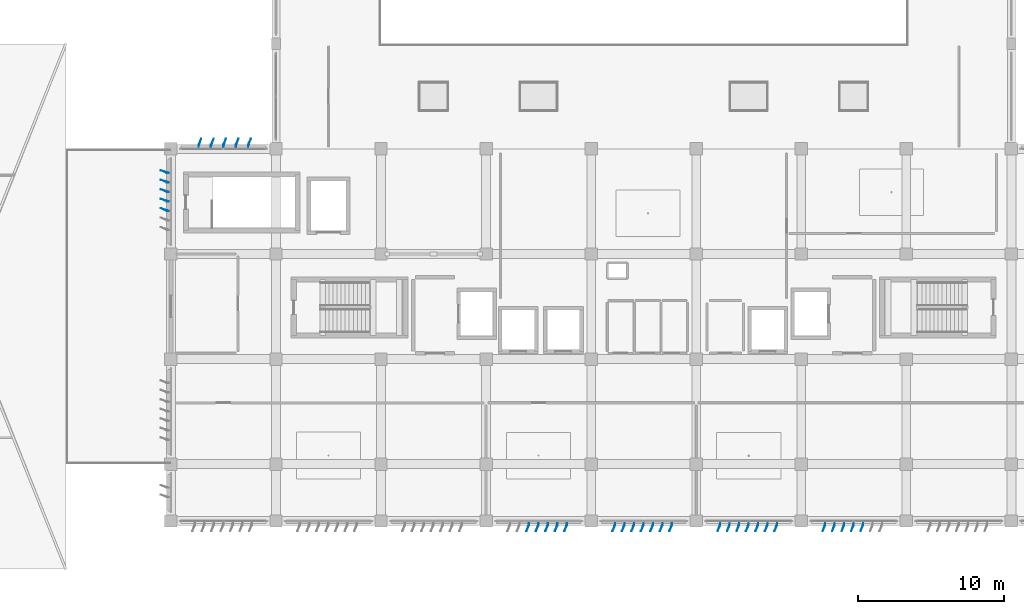
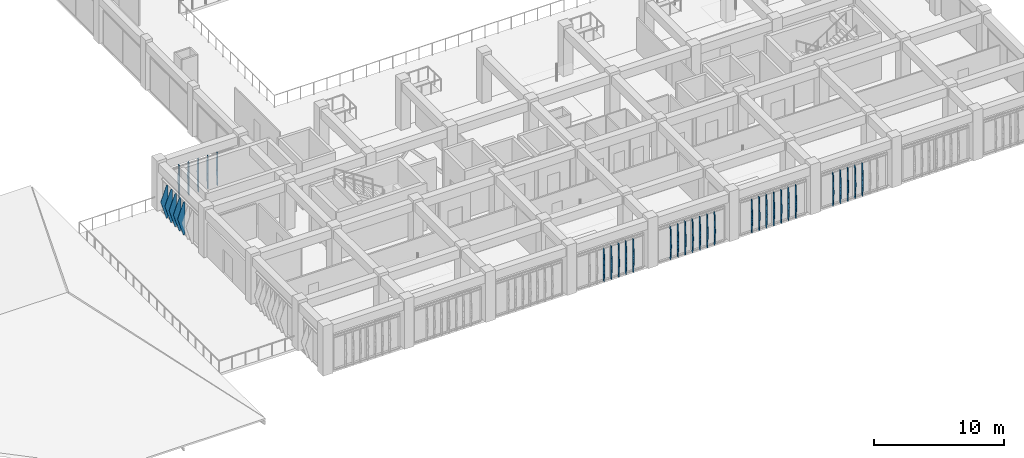
# One storey, part 47 of 55: 34 plates.
"""IFC4 building model written with IfcOpenShell, lengths in metres."""

import ifcopenshell
import ifcopenshell.guid

model = None  # the IFC model being written
_history = None  # IfcOwnerHistory: only IFC2X3 demands one
_inside = {}  # id of a spatial element -> (the spatial element, [elements in it])
_under = {}  # id of a project, library or spatial element -> (it, [spatial elements below it])
_declared = {}  # id of a project -> (the project, [libraries it declares])
_typed = {}  # id of a type object -> (the type object, [elements of that type])
_made_of = {}  # id of a material, layer set ... -> (it, [elements and type objects made of it])


def new_model(schema):
    """Start an empty IFC model of exactly this schema.

    Asked for "IFC4X3", IfcOpenShell would pick the latest addendum, in which some entities
    have other attributes; the version numbers below select the first issue.
    IFC2X3 requires an IfcOwnerHistory on every rooted entity: one is made here for all.
    """
    global model, _history
    if schema == "IFC4X3":
        model = ifcopenshell.file(schema_version=(4, 3, 0, 0))
    else:
        model = ifcopenshell.file(schema=schema)
    _inside.clear()
    _under.clear()
    _declared.clear()
    _typed.clear()
    _made_of.clear()
    _history = None
    if model.schema == "IFC2X3":
        org = make("IfcOrganization", Name="unknown")
        user = make(
            "IfcPersonAndOrganization",
            ThePerson=make("IfcPerson", FamilyName="unknown"),
            TheOrganization=org,
        )
        app = make(
            "IfcApplication",
            ApplicationDeveloper=org,
            Version="unknown",
            ApplicationFullName="unknown",
            ApplicationIdentifier="unknown",
        )
        _history = make(
            "IfcOwnerHistory",
            OwningUser=user,
            OwningApplication=app,
            ChangeAction="ADDED",
            CreationDate=0,
        )
    return model


def make(cls, **values):
    """One entity of the class cls with the attributes given. An attribute that is None is left unset."""
    return model.create_entity(
        cls, **{name: value for name, value in values.items() if value is not None}
    )


def rooted(cls, **values):
    """An entity with a GlobalId (a new one), such as an element, a storey or a relation."""
    return make(cls, GlobalId=ifcopenshell.guid.new(), OwnerHistory=_history, **values)


def si_unit(unit_type, name, prefix=None):
    """IfcSIUnit, for example si_unit("LENGTHUNIT", "METRE", prefix="MILLI")."""
    return make("IfcSIUnit", UnitType=unit_type, Prefix=prefix, Name=name)


def assignment(units):
    """IfcUnitAssignment: the units of a project."""
    return None if units is None else make("IfcUnitAssignment", Units=units)


def point(xyz):
    """IfcCartesianPoint."""
    return None if xyz is None else make("IfcCartesianPoint", Coordinates=xyz)


def direction(xyz):
    """IfcDirection."""
    return None if xyz is None else make("IfcDirection", DirectionRatios=xyz)


def frame(location, z_axis=None, x_axis=None):
    """IfcAxis2Placement3D, a coordinate frame: its origin and axes. An axis left out is left unset."""
    return make(
        "IfcAxis2Placement3D",
        Location=point(location),
        Axis=direction(z_axis),
        RefDirection=direction(x_axis),
    )


def origin():
    """The frame at (0, 0, 0) with its axes left unset."""
    return frame((0.0, 0.0, 0.0))


def place(relative_to, where):
    """IfcLocalPlacement: puts the frame where relative to a parent placement (None: the world)."""
    return make(
        "IfcLocalPlacement", PlacementRelTo=relative_to, RelativePlacement=where
    )


def context(
    kind, dimensions, precision=None, world=None, true_north=None, identifier=None
):
    """IfcGeometricRepresentationContext, for example the 3D "Model" context."""
    return make(
        "IfcGeometricRepresentationContext",
        ContextIdentifier=identifier,
        ContextType=kind,
        CoordinateSpaceDimension=dimensions,
        Precision=precision,
        WorldCoordinateSystem=world,
        TrueNorth=true_north,
    )


def subcontext(parent, identifier, kind, view, scale=None):
    """IfcGeometricRepresentationSubContext, for example "Body" below "Model"."""
    return make(
        "IfcGeometricRepresentationSubContext",
        ContextIdentifier=identifier,
        ContextType=kind,
        ParentContext=parent,
        TargetScale=scale,
        TargetView=view,
    )


def project(units=None, contexts=None):
    """IfcProject with its units and contexts."""
    return rooted(
        "IfcProject",
        Name="project",
        RepresentationContexts=contexts,
        UnitsInContext=assignment(units),
    )


def spatial(cls, under=None, at=None, **own):
    """A site, building, storey or space (cls), placed at a placement, below another one or the project."""
    s = rooted(cls, ObjectPlacement=at, **own)
    if under is not None:
        _under.setdefault(under.id(), (under, []))[1].append(s)
    return s


def point_list(points):
    """IfcCartesianPointList2D or 3D."""
    cls = (
        "IfcCartesianPointList2D" if len(points[0]) == 2 else "IfcCartesianPointList3D"
    )
    return make(cls, CoordList=points)


def polygons(points, faces, closed=None, point_numbers=None):
    """IfcPolygonalFaceSet: a face is its outer loop, then its inner loops; points numbered from 1."""
    made = []
    for loops in faces:
        if len(loops) == 1:
            made.append(make("IfcIndexedPolygonalFace", CoordIndex=loops[0]))
        else:
            made.append(
                make(
                    "IfcIndexedPolygonalFaceWithVoids",
                    CoordIndex=loops[0],
                    InnerCoordIndices=loops[1:],
                )
            )
    return make(
        "IfcPolygonalFaceSet",
        Coordinates=point_list(points),
        Closed=closed,
        Faces=made,
        PnIndex=point_numbers,
    )


def shape(context_of_items, identifier, shape_type, items):
    """IfcShapeRepresentation: the items that make up one representation, for example the "Body"."""
    return make(
        "IfcShapeRepresentation",
        ContextOfItems=context_of_items,
        RepresentationIdentifier=identifier,
        RepresentationType=shape_type,
        Items=items,
    )


def material(Name=None, Category=None):
    """IfcMaterial."""
    return make("IfcMaterial", Name=Name, Category=Category)


def layer(
    of_material, thickness, ventilated=None, Name=None, Category=None, Priority=None
):
    """IfcMaterialLayer: one layer of a wall or slab, of a material (None: an air gap)."""
    return make(
        "IfcMaterialLayer",
        Material=of_material,
        LayerThickness=thickness,
        IsVentilated=ventilated,
        Name=Name,
        Category=Category,
        Priority=Priority,
    )


def layer_set(layers, Name=None):
    """IfcMaterialLayerSet."""
    return make("IfcMaterialLayerSet", MaterialLayers=layers, LayerSetName=Name)


def made_of(thing, what):
    """Note that an element or type object is made of a material, layer set ...; save() writes the relation."""
    if what is not None:
        _made_of.setdefault(what.id(), (what, []))[1].append(thing)
    return thing


def type_object(cls, material=None, **own):
    """A type object (cls), such as IfcWallType, which elements share."""
    return made_of(rooted(cls, **own), material)


def element(
    cls,
    number,
    at=None,
    inside=None,
    cuts=None,
    type_object=None,
    material=None,
    context=None,
    identifier="Body",
    shape_type=None,
    held_by="IfcProductDefinitionShape",
    body=None,
    shapes=None,
    **own,
):
    """One element of the class cls, such as IfcWall. Its Tag is "e" and its number.

    at: its placement. inside: the storey or other place that contains it. cuts: it is an
    opening in that element (IfcRelVoidsElement). A single representation is given by context,
    identifier, shape_type and body (its items); several are given by shapes. held_by: the class
    of the entity that holds the representations. save() writes the other relations.
    """
    e = rooted(cls, Tag="e%d" % number, ObjectPlacement=at, **own)
    if body is not None:
        shapes = [shape(context, identifier, shape_type, body)]
    if shapes is not None:
        e.Representation = make(held_by, Representations=shapes)
    if inside is not None:
        _inside.setdefault(inside.id(), (inside, []))[1].append(e)
    if cuts is not None:
        rooted(
            "IfcRelVoidsElement", RelatingBuildingElement=cuts, RelatedOpeningElement=e
        )
    if type_object is not None:
        _typed.setdefault(type_object.id(), (type_object, []))[1].append(e)
    return made_of(e, material)


def aggregate(whole, parts):
    """IfcRelAggregates: a whole, such as a stair, and the parts it consists of."""
    return rooted("IfcRelAggregates", RelatingObject=whole, RelatedObjects=parts)


def save(model, path):
    """Write the relations noted so far, then the file.

    IfcRelAggregates (storeys below a building ...), IfcRelContainedInSpatialStructure (elements
    in a storey), IfcRelDefinesByType, IfcRelAssociatesMaterial and IfcRelDeclares: one each for
    every whole, place, type object, material and project.
    """
    for whole, parts in _under.values():
        aggregate(whole, parts)
    for where, things in _inside.values():
        rooted(
            "IfcRelContainedInSpatialStructure",
            RelatedElements=things,
            RelatingStructure=where,
        )
    for kind, things in _typed.values():
        rooted("IfcRelDefinesByType", RelatedObjects=things, RelatingType=kind)
    for what, things in _made_of.values():
        rooted("IfcRelAssociatesMaterial", RelatedObjects=things, RelatingMaterial=what)
    for by, libraries in _declared.values():
        rooted("IfcRelDeclares", RelatingContext=by, RelatedDefinitions=libraries)
    model.write(path)


model = new_model("IFC4")

# Units and contexts
model_context = context("Model", 3, precision=1e-05, world=origin(), true_north=direction((0.0, 1.0)))
body_context = subcontext(model_context, "Body", "Model", "MODEL_VIEW")
ifc_project = project(units=[si_unit("LENGTHUNIT", "METRE"), si_unit("AREAUNIT", "SQUARE_METRE"), si_unit("VOLUMEUNIT", "CUBIC_METRE"), si_unit("PLANEANGLEUNIT", "RADIAN"), si_unit("MASSUNIT", "GRAM", prefix="KILO")], contexts=[model_context])

# Site, building, storey
site_placement = place(None, origin())
site = spatial("IfcSite", under=ifc_project, at=site_placement, CompositionType="ELEMENT")
building_placement = place(site_placement, origin())
building = spatial("IfcBuilding", under=site, at=building_placement, Name="Kazehaya Institute of Natural Sciences", CompositionType="ELEMENT")
storey_placement = place(building_placement, frame((0.0, 0.0, 15.1201171875)))
storey = spatial("IfcBuildingStorey", under=building, at=storey_placement, Name="L03", CompositionType="ELEMENT", Elevation=15.1201171875)

# Plates
ifc_material = material(Name="Bronze-anodised aluminium alloy A6063S-T5", Category="aluminium")
ifc_layer_1 = layer(ifc_material, 0.02001953125, Name="Bronze-anodised aluminium alloy A6063S-T5", Category="aluminium")
ifc_layer_set_1 = layer_set([ifc_layer_1], Name="Bronze-anodised aluminium alloy A6063S-T5")
plate_type_1 = type_object("IfcPlateType", Name="FIN-DF-E1", PredefinedType="USERDEFINED", material=ifc_layer_set_1)
plate_1_placement = place(storey_placement, origin())
element("IfcPlate", 1, at=plate_1_placement, inside=storey, type_object=plate_type_1, Name="L03 folded diamond-pyramid shading fin FIN-L03-W-0101", ObjectType="SHADING_FIN", PredefinedType="USERDEFINED", context=body_context, shape_type="Tessellation", body=[
    polygons([(54.445068359375, 31.340087890625, 0.039794921875), (54.300048828125, 31.340087890625, 0.039794921875), (53.889892578125, 31.518798828125, 1.58984375), (54.300048828125, 31.340087890625, 3.139892578125), (54.445068359375, 31.340087890625, 3.139892578125), (54.445068359375, 31.360107421875, 0.039794921875), (54.300048828125, 31.360107421875, 0.039794921875), (53.889892578125, 31.538818359375, 1.58984375), (54.300048828125, 31.360107421875, 3.139892578125), (54.445068359375, 31.360107421875, 3.139892578125)], [[[1, 5, 4, 3, 2]], [[6, 7, 8, 9, 10]], [[1, 2, 7, 6]], [[2, 3, 8, 7]], [[3, 4, 9, 8]], [[4, 5, 10, 9]], [[5, 1, 6, 10]]], closed=True),
])
plate_2_placement = place(storey_placement, origin())
element("IfcPlate", 2, at=plate_2_placement, inside=storey, type_object=plate_type_1, Name="L03 folded diamond-pyramid shading fin FIN-L03-W-0102", ObjectType="SHADING_FIN", PredefinedType="USERDEFINED", context=body_context, shape_type="Tessellation", body=[
    polygons([(54.445068359375, 31.989990234375, 0.039794921875), (54.300048828125, 31.989990234375, 0.039794921875), (53.889892578125, 32.168701171875, 1.58984375), (54.300048828125, 31.989990234375, 3.139892578125), (54.445068359375, 31.989990234375, 3.139892578125), (54.445068359375, 32.010009765625, 0.039794921875), (54.300048828125, 32.010009765625, 0.039794921875), (53.889892578125, 32.188720703125, 1.58984375), (54.300048828125, 32.010009765625, 3.139892578125), (54.445068359375, 32.010009765625, 3.139892578125)], [[[1, 5, 4, 3, 2]], [[6, 7, 8, 9, 10]], [[1, 2, 7, 6]], [[2, 3, 8, 7]], [[3, 4, 9, 8]], [[4, 5, 10, 9]], [[5, 1, 6, 10]]], closed=True),
])
plate_3_placement = place(storey_placement, origin())
element("IfcPlate", 3, at=plate_3_placement, inside=storey, type_object=plate_type_1, Name="L03 folded diamond-pyramid shading fin FIN-L03-W-0103", ObjectType="SHADING_FIN", PredefinedType="USERDEFINED", context=body_context, shape_type="Tessellation", body=[
    polygons([(54.445068359375, 32.639892578125, 0.039794921875), (54.300048828125, 32.639892578125, 0.039794921875), (53.889892578125, 32.818603515625, 1.58984375), (54.300048828125, 32.639892578125, 3.139892578125), (54.445068359375, 32.639892578125, 3.139892578125), (54.445068359375, 32.659912109375, 0.039794921875), (54.300048828125, 32.659912109375, 0.039794921875), (53.889892578125, 32.838623046875, 1.58984375), (54.300048828125, 32.659912109375, 3.139892578125), (54.445068359375, 32.659912109375, 3.139892578125)], [[[1, 5, 4, 3, 2]], [[6, 7, 8, 9, 10]], [[1, 2, 7, 6]], [[2, 3, 8, 7]], [[3, 4, 9, 8]], [[4, 5, 10, 9]], [[5, 1, 6, 10]]], closed=True),
])
plate_4_placement = place(storey_placement, origin())
element("IfcPlate", 4, at=plate_4_placement, inside=storey, type_object=plate_type_1, Name="L03 folded diamond-pyramid shading fin FIN-L03-W-0104", ObjectType="SHADING_FIN", PredefinedType="USERDEFINED", context=body_context, shape_type="Tessellation", body=[
    polygons([(54.445068359375, 33.2900390625, 0.039794921875), (54.300048828125, 33.2900390625, 0.039794921875), (53.889892578125, 33.46875, 1.58984375), (54.300048828125, 33.2900390625, 3.139892578125), (54.445068359375, 33.2900390625, 3.139892578125), (54.445068359375, 33.31005859375, 0.039794921875), (54.300048828125, 33.31005859375, 0.039794921875), (53.889892578125, 33.48876953125, 1.58984375), (54.300048828125, 33.31005859375, 3.139892578125), (54.445068359375, 33.31005859375, 3.139892578125)], [[[1, 5, 4, 3, 2]], [[6, 7, 8, 9, 10]], [[1, 2, 7, 6]], [[2, 3, 8, 7]], [[3, 4, 9, 8]], [[4, 5, 10, 9]], [[5, 1, 6, 10]]], closed=True),
])
plate_5_placement = place(storey_placement, origin())
element("IfcPlate", 5, at=plate_5_placement, inside=storey, type_object=plate_type_1, Name="L03 folded diamond-pyramid shading fin FIN-L03-W-0105", ObjectType="SHADING_FIN", PredefinedType="USERDEFINED", context=body_context, shape_type="Tessellation", body=[
    polygons([(54.445068359375, 33.93994140625, 0.039794921875), (54.300048828125, 33.93994140625, 0.039794921875), (53.889892578125, 34.11865234375, 1.58984375), (54.300048828125, 33.93994140625, 3.139892578125), (54.445068359375, 33.93994140625, 3.139892578125), (54.445068359375, 33.9599609375, 0.039794921875), (54.300048828125, 33.9599609375, 0.039794921875), (53.889892578125, 34.138671875, 1.58984375), (54.300048828125, 33.9599609375, 3.139892578125), (54.445068359375, 33.9599609375, 3.139892578125)], [[[1, 5, 4, 3, 2]], [[6, 7, 8, 9, 10]], [[1, 2, 7, 6]], [[2, 3, 8, 7]], [[3, 4, 9, 8]], [[4, 5, 10, 9]], [[5, 1, 6, 10]]], closed=True),
])
ifc_layer_2 = layer(ifc_material, 0.02001953125, Name="Bronze-anodised aluminium alloy A6063S-T5", Category="aluminium")
ifc_layer_set_2 = layer_set([ifc_layer_2], Name="Bronze-anodised aluminium alloy A6063S-T5")
plate_type_2 = type_object("IfcPlateType", Name="FIN-DF-N1", PredefinedType="USERDEFINED", material=ifc_layer_set_2)
plate_6_placement = place(storey_placement, origin())
element("IfcPlate", 6, at=plate_6_placement, inside=storey, type_object=plate_type_2, Name="L03 folded diamond-pyramid shading fin FIN-L03-N-0064", ObjectType="SHADING_FIN", PredefinedType="USERDEFINED", context=body_context, shape_type="Tessellation", body=[
    polygons([(56.489990234375, 35.7548828125, 0.039794921875), (56.489990234375, 35.89990234375, 0.039794921875), (56.668701171875, 36.31005859375, 1.58984375), (56.489990234375, 35.89990234375, 3.139892578125), (56.489990234375, 35.7548828125, 3.139892578125), (56.510009765625, 35.7548828125, 0.039794921875), (56.510009765625, 35.89990234375, 0.039794921875), (56.688720703125, 36.31005859375, 1.58984375), (56.510009765625, 35.89990234375, 3.139892578125), (56.510009765625, 35.7548828125, 3.139892578125)], [[[1, 5, 4, 3, 2]], [[6, 7, 8, 9, 10]], [[1, 2, 7, 6]], [[2, 3, 8, 7]], [[3, 4, 9, 8]], [[4, 5, 10, 9]], [[5, 1, 6, 10]]], closed=True),
])
plate_7_placement = place(storey_placement, origin())
element("IfcPlate", 7, at=plate_7_placement, inside=storey, type_object=plate_type_2, Name="L03 folded diamond-pyramid shading fin FIN-L03-N-0065", ObjectType="SHADING_FIN", PredefinedType="USERDEFINED", context=body_context, shape_type="Tessellation", body=[
    polygons([(57.340087890625, 35.7548828125, 0.039794921875), (57.340087890625, 35.89990234375, 0.039794921875), (57.518798828125, 36.31005859375, 1.58984375), (57.340087890625, 35.89990234375, 3.139892578125), (57.340087890625, 35.7548828125, 3.139892578125), (57.360107421875, 35.7548828125, 0.039794921875), (57.360107421875, 35.89990234375, 0.039794921875), (57.538818359375, 36.31005859375, 1.58984375), (57.360107421875, 35.89990234375, 3.139892578125), (57.360107421875, 35.7548828125, 3.139892578125)], [[[1, 5, 4, 3, 2]], [[6, 7, 8, 9, 10]], [[1, 2, 7, 6]], [[2, 3, 8, 7]], [[3, 4, 9, 8]], [[4, 5, 10, 9]], [[5, 1, 6, 10]]], closed=True),
])
plate_8_placement = place(storey_placement, origin())
element("IfcPlate", 8, at=plate_8_placement, inside=storey, type_object=plate_type_2, Name="L03 folded diamond-pyramid shading fin FIN-L03-N-0066", ObjectType="SHADING_FIN", PredefinedType="USERDEFINED", context=body_context, shape_type="Tessellation", body=[
    polygons([(58.18994140625, 35.7548828125, 0.039794921875), (58.18994140625, 35.89990234375, 0.039794921875), (58.36865234375, 36.31005859375, 1.58984375), (58.18994140625, 35.89990234375, 3.139892578125), (58.18994140625, 35.7548828125, 3.139892578125), (58.2099609375, 35.7548828125, 0.039794921875), (58.2099609375, 35.89990234375, 0.039794921875), (58.388671875, 36.31005859375, 1.58984375), (58.2099609375, 35.89990234375, 3.139892578125), (58.2099609375, 35.7548828125, 3.139892578125)], [[[1, 5, 4, 3, 2]], [[6, 7, 8, 9, 10]], [[1, 2, 7, 6]], [[2, 3, 8, 7]], [[3, 4, 9, 8]], [[4, 5, 10, 9]], [[5, 1, 6, 10]]], closed=True),
])
plate_9_placement = place(storey_placement, origin())
element("IfcPlate", 9, at=plate_9_placement, inside=storey, type_object=plate_type_2, Name="L03 folded diamond-pyramid shading fin FIN-L03-N-0067", ObjectType="SHADING_FIN", PredefinedType="USERDEFINED", context=body_context, shape_type="Tessellation", body=[
    polygons([(59.0400390625, 35.7548828125, 0.039794921875), (59.0400390625, 35.89990234375, 0.039794921875), (59.21875, 36.31005859375, 1.58984375), (59.0400390625, 35.89990234375, 3.139892578125), (59.0400390625, 35.7548828125, 3.139892578125), (59.06005859375, 35.7548828125, 0.039794921875), (59.06005859375, 35.89990234375, 0.039794921875), (59.23876953125, 36.31005859375, 1.58984375), (59.06005859375, 35.89990234375, 3.139892578125), (59.06005859375, 35.7548828125, 3.139892578125)], [[[1, 5, 4, 3, 2]], [[6, 7, 8, 9, 10]], [[1, 2, 7, 6]], [[2, 3, 8, 7]], [[3, 4, 9, 8]], [[4, 5, 10, 9]], [[5, 1, 6, 10]]], closed=True),
])
plate_10_placement = place(storey_placement, origin())
element("IfcPlate", 10, at=plate_10_placement, inside=storey, type_object=plate_type_2, Name="L03 folded diamond-pyramid shading fin FIN-L03-N-0068", ObjectType="SHADING_FIN", PredefinedType="USERDEFINED", context=body_context, shape_type="Tessellation", body=[
    polygons([(59.889892578125, 35.7548828125, 0.039794921875), (59.889892578125, 35.89990234375, 0.039794921875), (60.068603515625, 36.31005859375, 1.58984375), (59.889892578125, 35.89990234375, 3.139892578125), (59.889892578125, 35.7548828125, 3.139892578125), (59.909912109375, 35.7548828125, 0.039794921875), (59.909912109375, 35.89990234375, 0.039794921875), (60.088623046875, 36.31005859375, 1.58984375), (59.909912109375, 35.89990234375, 3.139892578125), (59.909912109375, 35.7548828125, 3.139892578125)], [[[1, 5, 4, 3, 2]], [[6, 7, 8, 9, 10]], [[1, 2, 7, 6]], [[2, 3, 8, 7]], [[3, 4, 9, 8]], [[4, 5, 10, 9]], [[5, 1, 6, 10]]], closed=True),
])
ifc_layer_3 = layer(ifc_material, 0.02001953125, Name="Bronze-anodised aluminium alloy A6063S-T5", Category="aluminium")
ifc_layer_set_3 = layer_set([ifc_layer_3], Name="Bronze-anodised aluminium alloy A6063S-T5")
plate_type_3 = type_object("IfcPlateType", Name="FIN-DF-S1", PredefinedType="USERDEFINED", material=ifc_layer_set_3)
plate_11_placement = place(storey_placement, origin())
element("IfcPlate", 11, at=plate_11_placement, inside=storey, type_object=plate_type_3, Name="L03 folded diamond-pyramid shading fin FIN-L03-S-0017", ObjectType="SHADING_FIN", PredefinedType="USERDEFINED", context=body_context, shape_type="Tessellation", body=[
    polygons([(102.06005859375, 9.945068359375, 0.039794921875), (102.06005859375, 9.800048828125, 0.039794921875), (101.88134765625, 9.389892578125, 1.58984375), (102.06005859375, 9.800048828125, 3.139892578125), (102.06005859375, 9.945068359375, 3.139892578125), (102.0400390625, 9.945068359375, 0.039794921875), (102.0400390625, 9.800048828125, 0.039794921875), (101.861328125, 9.389892578125, 1.58984375), (102.0400390625, 9.800048828125, 3.139892578125), (102.0400390625, 9.945068359375, 3.139892578125)], [[[1, 5, 4, 3, 2]], [[6, 7, 8, 9, 10]], [[1, 2, 7, 6]], [[2, 3, 8, 7]], [[3, 4, 9, 8]], [[4, 5, 10, 9]], [[5, 1, 6, 10]]], closed=True),
])
plate_12_placement = place(storey_placement, origin())
element("IfcPlate", 12, at=plate_12_placement, inside=storey, type_object=plate_type_3, Name="L03 folded diamond-pyramid shading fin FIN-L03-S-0018", ObjectType="SHADING_FIN", PredefinedType="USERDEFINED", context=body_context, shape_type="Tessellation", body=[
    polygons([(101.409912109375, 9.945068359375, 0.039794921875), (101.409912109375, 9.800048828125, 0.039794921875), (101.231201171875, 9.389892578125, 1.58984375), (101.409912109375, 9.800048828125, 3.139892578125), (101.409912109375, 9.945068359375, 3.139892578125), (101.389892578125, 9.945068359375, 0.039794921875), (101.389892578125, 9.800048828125, 0.039794921875), (101.211181640625, 9.389892578125, 1.58984375), (101.389892578125, 9.800048828125, 3.139892578125), (101.389892578125, 9.945068359375, 3.139892578125)], [[[1, 5, 4, 3, 2]], [[6, 7, 8, 9, 10]], [[1, 2, 7, 6]], [[2, 3, 8, 7]], [[3, 4, 9, 8]], [[4, 5, 10, 9]], [[5, 1, 6, 10]]], closed=True),
])
plate_13_placement = place(storey_placement, origin())
element("IfcPlate", 13, at=plate_13_placement, inside=storey, type_object=plate_type_3, Name="L03 folded diamond-pyramid shading fin FIN-L03-S-0019", ObjectType="SHADING_FIN", PredefinedType="USERDEFINED", context=body_context, shape_type="Tessellation", body=[
    polygons([(100.760009765625, 9.945068359375, 0.039794921875), (100.760009765625, 9.800048828125, 0.039794921875), (100.581298828125, 9.389892578125, 1.58984375), (100.760009765625, 9.800048828125, 3.139892578125), (100.760009765625, 9.945068359375, 3.139892578125), (100.739990234375, 9.945068359375, 0.039794921875), (100.739990234375, 9.800048828125, 0.039794921875), (100.561279296875, 9.389892578125, 1.58984375), (100.739990234375, 9.800048828125, 3.139892578125), (100.739990234375, 9.945068359375, 3.139892578125)], [[[1, 5, 4, 3, 2]], [[6, 7, 8, 9, 10]], [[1, 2, 7, 6]], [[2, 3, 8, 7]], [[3, 4, 9, 8]], [[4, 5, 10, 9]], [[5, 1, 6, 10]]], closed=True),
])
plate_14_placement = place(storey_placement, origin())
element("IfcPlate", 14, at=plate_14_placement, inside=storey, type_object=plate_type_3, Name="L03 folded diamond-pyramid shading fin FIN-L03-S-0020", ObjectType="SHADING_FIN", PredefinedType="USERDEFINED", context=body_context, shape_type="Tessellation", body=[
    polygons([(100.110107421875, 9.945068359375, 0.039794921875), (100.110107421875, 9.800048828125, 0.039794921875), (99.931396484375, 9.389892578125, 1.58984375), (100.110107421875, 9.800048828125, 3.139892578125), (100.110107421875, 9.945068359375, 3.139892578125), (100.090087890625, 9.945068359375, 0.039794921875), (100.090087890625, 9.800048828125, 0.039794921875), (99.911376953125, 9.389892578125, 1.58984375), (100.090087890625, 9.800048828125, 3.139892578125), (100.090087890625, 9.945068359375, 3.139892578125)], [[[1, 5, 4, 3, 2]], [[6, 7, 8, 9, 10]], [[1, 2, 7, 6]], [[2, 3, 8, 7]], [[3, 4, 9, 8]], [[4, 5, 10, 9]], [[5, 1, 6, 10]]], closed=True),
])
plate_15_placement = place(storey_placement, origin())
element("IfcPlate", 15, at=plate_15_placement, inside=storey, type_object=plate_type_3, Name="L03 folded diamond-pyramid shading fin FIN-L03-S-0021", ObjectType="SHADING_FIN", PredefinedType="USERDEFINED", context=body_context, shape_type="Tessellation", body=[
    polygons([(99.4599609375, 9.945068359375, 0.039794921875), (99.4599609375, 9.800048828125, 0.039794921875), (99.28125, 9.389892578125, 1.58984375), (99.4599609375, 9.800048828125, 3.139892578125), (99.4599609375, 9.945068359375, 3.139892578125), (99.43994140625, 9.945068359375, 0.039794921875), (99.43994140625, 9.800048828125, 0.039794921875), (99.26123046875, 9.389892578125, 1.58984375), (99.43994140625, 9.800048828125, 3.139892578125), (99.43994140625, 9.945068359375, 3.139892578125)], [[[1, 5, 4, 3, 2]], [[6, 7, 8, 9, 10]], [[1, 2, 7, 6]], [[2, 3, 8, 7]], [[3, 4, 9, 8]], [[4, 5, 10, 9]], [[5, 1, 6, 10]]], closed=True),
])
plate_16_placement = place(storey_placement, origin())
element("IfcPlate", 16, at=plate_16_placement, inside=storey, type_object=plate_type_3, Name="L03 folded diamond-pyramid shading fin FIN-L03-S-0022", ObjectType="SHADING_FIN", PredefinedType="USERDEFINED", context=body_context, shape_type="Tessellation", body=[
    polygons([(96.159912109375, 9.945068359375, 0.039794921875), (96.159912109375, 9.800048828125, 0.039794921875), (95.981201171875, 9.389892578125, 1.58984375), (96.159912109375, 9.800048828125, 3.139892578125), (96.159912109375, 9.945068359375, 3.139892578125), (96.139892578125, 9.945068359375, 0.039794921875), (96.139892578125, 9.800048828125, 0.039794921875), (95.961181640625, 9.389892578125, 1.58984375), (96.139892578125, 9.800048828125, 3.139892578125), (96.139892578125, 9.945068359375, 3.139892578125)], [[[1, 5, 4, 3, 2]], [[6, 7, 8, 9, 10]], [[1, 2, 7, 6]], [[2, 3, 8, 7]], [[3, 4, 9, 8]], [[4, 5, 10, 9]], [[5, 1, 6, 10]]], closed=True),
])
plate_17_placement = place(storey_placement, origin())
element("IfcPlate", 17, at=plate_17_placement, inside=storey, type_object=plate_type_3, Name="L03 folded diamond-pyramid shading fin FIN-L03-S-0023", ObjectType="SHADING_FIN", PredefinedType="USERDEFINED", context=body_context, shape_type="Tessellation", body=[
    polygons([(95.510009765625, 9.945068359375, 0.039794921875), (95.510009765625, 9.800048828125, 0.039794921875), (95.331298828125, 9.389892578125, 1.58984375), (95.510009765625, 9.800048828125, 3.139892578125), (95.510009765625, 9.945068359375, 3.139892578125), (95.489990234375, 9.945068359375, 0.039794921875), (95.489990234375, 9.800048828125, 0.039794921875), (95.311279296875, 9.389892578125, 1.58984375), (95.489990234375, 9.800048828125, 3.139892578125), (95.489990234375, 9.945068359375, 3.139892578125)], [[[1, 5, 4, 3, 2]], [[6, 7, 8, 9, 10]], [[1, 2, 7, 6]], [[2, 3, 8, 7]], [[3, 4, 9, 8]], [[4, 5, 10, 9]], [[5, 1, 6, 10]]], closed=True),
])
plate_18_placement = place(storey_placement, origin())
element("IfcPlate", 18, at=plate_18_placement, inside=storey, type_object=plate_type_3, Name="L03 folded diamond-pyramid shading fin FIN-L03-S-0024", ObjectType="SHADING_FIN", PredefinedType="USERDEFINED", context=body_context, shape_type="Tessellation", body=[
    polygons([(94.860107421875, 9.945068359375, 0.039794921875), (94.860107421875, 9.800048828125, 0.039794921875), (94.681396484375, 9.389892578125, 1.58984375), (94.860107421875, 9.800048828125, 3.139892578125), (94.860107421875, 9.945068359375, 3.139892578125), (94.840087890625, 9.945068359375, 0.039794921875), (94.840087890625, 9.800048828125, 0.039794921875), (94.661376953125, 9.389892578125, 1.58984375), (94.840087890625, 9.800048828125, 3.139892578125), (94.840087890625, 9.945068359375, 3.139892578125)], [[[1, 5, 4, 3, 2]], [[6, 7, 8, 9, 10]], [[1, 2, 7, 6]], [[2, 3, 8, 7]], [[3, 4, 9, 8]], [[4, 5, 10, 9]], [[5, 1, 6, 10]]], closed=True),
])
plate_19_placement = place(storey_placement, origin())
element("IfcPlate", 19, at=plate_19_placement, inside=storey, type_object=plate_type_3, Name="L03 folded diamond-pyramid shading fin FIN-L03-S-0025", ObjectType="SHADING_FIN", PredefinedType="USERDEFINED", context=body_context, shape_type="Tessellation", body=[
    polygons([(94.2099609375, 9.945068359375, 0.039794921875), (94.2099609375, 9.800048828125, 0.039794921875), (94.03125, 9.389892578125, 1.58984375), (94.2099609375, 9.800048828125, 3.139892578125), (94.2099609375, 9.945068359375, 3.139892578125), (94.18994140625, 9.945068359375, 0.039794921875), (94.18994140625, 9.800048828125, 0.039794921875), (94.01123046875, 9.389892578125, 1.58984375), (94.18994140625, 9.800048828125, 3.139892578125), (94.18994140625, 9.945068359375, 3.139892578125)], [[[1, 5, 4, 3, 2]], [[6, 7, 8, 9, 10]], [[1, 2, 7, 6]], [[2, 3, 8, 7]], [[3, 4, 9, 8]], [[4, 5, 10, 9]], [[5, 1, 6, 10]]], closed=True),
])
plate_20_placement = place(storey_placement, origin())
element("IfcPlate", 20, at=plate_20_placement, inside=storey, type_object=plate_type_3, Name="L03 folded diamond-pyramid shading fin FIN-L03-S-0026", ObjectType="SHADING_FIN", PredefinedType="USERDEFINED", context=body_context, shape_type="Tessellation", body=[
    polygons([(93.56005859375, 9.945068359375, 0.039794921875), (93.56005859375, 9.800048828125, 0.039794921875), (93.38134765625, 9.389892578125, 1.58984375), (93.56005859375, 9.800048828125, 3.139892578125), (93.56005859375, 9.945068359375, 3.139892578125), (93.5400390625, 9.945068359375, 0.039794921875), (93.5400390625, 9.800048828125, 0.039794921875), (93.361328125, 9.389892578125, 1.58984375), (93.5400390625, 9.800048828125, 3.139892578125), (93.5400390625, 9.945068359375, 3.139892578125)], [[[1, 5, 4, 3, 2]], [[6, 7, 8, 9, 10]], [[1, 2, 7, 6]], [[2, 3, 8, 7]], [[3, 4, 9, 8]], [[4, 5, 10, 9]], [[5, 1, 6, 10]]], closed=True),
])
plate_21_placement = place(storey_placement, origin())
element("IfcPlate", 21, at=plate_21_placement, inside=storey, type_object=plate_type_3, Name="L03 folded diamond-pyramid shading fin FIN-L03-S-0027", ObjectType="SHADING_FIN", PredefinedType="USERDEFINED", context=body_context, shape_type="Tessellation", body=[
    polygons([(92.909912109375, 9.945068359375, 0.039794921875), (92.909912109375, 9.800048828125, 0.039794921875), (92.731201171875, 9.389892578125, 1.58984375), (92.909912109375, 9.800048828125, 3.139892578125), (92.909912109375, 9.945068359375, 3.139892578125), (92.889892578125, 9.945068359375, 0.039794921875), (92.889892578125, 9.800048828125, 0.039794921875), (92.711181640625, 9.389892578125, 1.58984375), (92.889892578125, 9.800048828125, 3.139892578125), (92.889892578125, 9.945068359375, 3.139892578125)], [[[1, 5, 4, 3, 2]], [[6, 7, 8, 9, 10]], [[1, 2, 7, 6]], [[2, 3, 8, 7]], [[3, 4, 9, 8]], [[4, 5, 10, 9]], [[5, 1, 6, 10]]], closed=True),
])
plate_22_placement = place(storey_placement, origin())
element("IfcPlate", 22, at=plate_22_placement, inside=storey, type_object=plate_type_3, Name="L03 folded diamond-pyramid shading fin FIN-L03-S-0028", ObjectType="SHADING_FIN", PredefinedType="USERDEFINED", context=body_context, shape_type="Tessellation", body=[
    polygons([(92.260009765625, 9.945068359375, 0.039794921875), (92.260009765625, 9.800048828125, 0.039794921875), (92.081298828125, 9.389892578125, 1.58984375), (92.260009765625, 9.800048828125, 3.139892578125), (92.260009765625, 9.945068359375, 3.139892578125), (92.239990234375, 9.945068359375, 0.039794921875), (92.239990234375, 9.800048828125, 0.039794921875), (92.061279296875, 9.389892578125, 1.58984375), (92.239990234375, 9.800048828125, 3.139892578125), (92.239990234375, 9.945068359375, 3.139892578125)], [[[1, 5, 4, 3, 2]], [[6, 7, 8, 9, 10]], [[1, 2, 7, 6]], [[2, 3, 8, 7]], [[3, 4, 9, 8]], [[4, 5, 10, 9]], [[5, 1, 6, 10]]], closed=True),
])
plate_23_placement = place(storey_placement, origin())
element("IfcPlate", 23, at=plate_23_placement, inside=storey, type_object=plate_type_3, Name="L03 folded diamond-pyramid shading fin FIN-L03-S-0029", ObjectType="SHADING_FIN", PredefinedType="USERDEFINED", context=body_context, shape_type="Tessellation", body=[
    polygons([(88.9599609375, 9.945068359375, 0.039794921875), (88.9599609375, 9.800048828125, 0.039794921875), (88.78125, 9.389892578125, 1.58984375), (88.9599609375, 9.800048828125, 3.139892578125), (88.9599609375, 9.945068359375, 3.139892578125), (88.93994140625, 9.945068359375, 0.039794921875), (88.93994140625, 9.800048828125, 0.039794921875), (88.76123046875, 9.389892578125, 1.58984375), (88.93994140625, 9.800048828125, 3.139892578125), (88.93994140625, 9.945068359375, 3.139892578125)], [[[1, 5, 4, 3, 2]], [[6, 7, 8, 9, 10]], [[1, 2, 7, 6]], [[2, 3, 8, 7]], [[3, 4, 9, 8]], [[4, 5, 10, 9]], [[5, 1, 6, 10]]], closed=True),
])
plate_24_placement = place(storey_placement, origin())
element("IfcPlate", 24, at=plate_24_placement, inside=storey, type_object=plate_type_3, Name="L03 folded diamond-pyramid shading fin FIN-L03-S-0030", ObjectType="SHADING_FIN", PredefinedType="USERDEFINED", context=body_context, shape_type="Tessellation", body=[
    polygons([(88.31005859375, 9.945068359375, 0.039794921875), (88.31005859375, 9.800048828125, 0.039794921875), (88.13134765625, 9.389892578125, 1.58984375), (88.31005859375, 9.800048828125, 3.139892578125), (88.31005859375, 9.945068359375, 3.139892578125), (88.2900390625, 9.945068359375, 0.039794921875), (88.2900390625, 9.800048828125, 0.039794921875), (88.111328125, 9.389892578125, 1.58984375), (88.2900390625, 9.800048828125, 3.139892578125), (88.2900390625, 9.945068359375, 3.139892578125)], [[[1, 5, 4, 3, 2]], [[6, 7, 8, 9, 10]], [[1, 2, 7, 6]], [[2, 3, 8, 7]], [[3, 4, 9, 8]], [[4, 5, 10, 9]], [[5, 1, 6, 10]]], closed=True),
])
plate_25_placement = place(storey_placement, origin())
element("IfcPlate", 25, at=plate_25_placement, inside=storey, type_object=plate_type_3, Name="L03 folded diamond-pyramid shading fin FIN-L03-S-0031", ObjectType="SHADING_FIN", PredefinedType="USERDEFINED", context=body_context, shape_type="Tessellation", body=[
    polygons([(87.659912109375, 9.945068359375, 0.039794921875), (87.659912109375, 9.800048828125, 0.039794921875), (87.481201171875, 9.389892578125, 1.58984375), (87.659912109375, 9.800048828125, 3.139892578125), (87.659912109375, 9.945068359375, 3.139892578125), (87.639892578125, 9.945068359375, 0.039794921875), (87.639892578125, 9.800048828125, 0.039794921875), (87.461181640625, 9.389892578125, 1.58984375), (87.639892578125, 9.800048828125, 3.139892578125), (87.639892578125, 9.945068359375, 3.139892578125)], [[[1, 5, 4, 3, 2]], [[6, 7, 8, 9, 10]], [[1, 2, 7, 6]], [[2, 3, 8, 7]], [[3, 4, 9, 8]], [[4, 5, 10, 9]], [[5, 1, 6, 10]]], closed=True),
])
plate_26_placement = place(storey_placement, origin())
element("IfcPlate", 26, at=plate_26_placement, inside=storey, type_object=plate_type_3, Name="L03 folded diamond-pyramid shading fin FIN-L03-S-0032", ObjectType="SHADING_FIN", PredefinedType="USERDEFINED", context=body_context, shape_type="Tessellation", body=[
    polygons([(87.010009765625, 9.945068359375, 0.039794921875), (87.010009765625, 9.800048828125, 0.039794921875), (86.831298828125, 9.389892578125, 1.58984375), (87.010009765625, 9.800048828125, 3.139892578125), (87.010009765625, 9.945068359375, 3.139892578125), (86.989990234375, 9.945068359375, 0.039794921875), (86.989990234375, 9.800048828125, 0.039794921875), (86.811279296875, 9.389892578125, 1.58984375), (86.989990234375, 9.800048828125, 3.139892578125), (86.989990234375, 9.945068359375, 3.139892578125)], [[[1, 5, 4, 3, 2]], [[6, 7, 8, 9, 10]], [[1, 2, 7, 6]], [[2, 3, 8, 7]], [[3, 4, 9, 8]], [[4, 5, 10, 9]], [[5, 1, 6, 10]]], closed=True),
])
plate_27_placement = place(storey_placement, origin())
element("IfcPlate", 27, at=plate_27_placement, inside=storey, type_object=plate_type_3, Name="L03 folded diamond-pyramid shading fin FIN-L03-S-0033", ObjectType="SHADING_FIN", PredefinedType="USERDEFINED", context=body_context, shape_type="Tessellation", body=[
    polygons([(86.360107421875, 9.945068359375, 0.039794921875), (86.360107421875, 9.800048828125, 0.039794921875), (86.181396484375, 9.389892578125, 1.58984375), (86.360107421875, 9.800048828125, 3.139892578125), (86.360107421875, 9.945068359375, 3.139892578125), (86.340087890625, 9.945068359375, 0.039794921875), (86.340087890625, 9.800048828125, 0.039794921875), (86.161376953125, 9.389892578125, 1.58984375), (86.340087890625, 9.800048828125, 3.139892578125), (86.340087890625, 9.945068359375, 3.139892578125)], [[[1, 5, 4, 3, 2]], [[6, 7, 8, 9, 10]], [[1, 2, 7, 6]], [[2, 3, 8, 7]], [[3, 4, 9, 8]], [[4, 5, 10, 9]], [[5, 1, 6, 10]]], closed=True),
])
plate_28_placement = place(storey_placement, origin())
element("IfcPlate", 28, at=plate_28_placement, inside=storey, type_object=plate_type_3, Name="L03 folded diamond-pyramid shading fin FIN-L03-S-0034", ObjectType="SHADING_FIN", PredefinedType="USERDEFINED", context=body_context, shape_type="Tessellation", body=[
    polygons([(85.7099609375, 9.945068359375, 0.039794921875), (85.7099609375, 9.800048828125, 0.039794921875), (85.53125, 9.389892578125, 1.58984375), (85.7099609375, 9.800048828125, 3.139892578125), (85.7099609375, 9.945068359375, 3.139892578125), (85.68994140625, 9.945068359375, 0.039794921875), (85.68994140625, 9.800048828125, 0.039794921875), (85.51123046875, 9.389892578125, 1.58984375), (85.68994140625, 9.800048828125, 3.139892578125), (85.68994140625, 9.945068359375, 3.139892578125)], [[[1, 5, 4, 3, 2]], [[6, 7, 8, 9, 10]], [[1, 2, 7, 6]], [[2, 3, 8, 7]], [[3, 4, 9, 8]], [[4, 5, 10, 9]], [[5, 1, 6, 10]]], closed=True),
])
plate_29_placement = place(storey_placement, origin())
element("IfcPlate", 29, at=plate_29_placement, inside=storey, type_object=plate_type_3, Name="L03 folded diamond-pyramid shading fin FIN-L03-S-0035", ObjectType="SHADING_FIN", PredefinedType="USERDEFINED", context=body_context, shape_type="Tessellation", body=[
    polygons([(85.06005859375, 9.945068359375, 0.039794921875), (85.06005859375, 9.800048828125, 0.039794921875), (84.88134765625, 9.389892578125, 1.58984375), (85.06005859375, 9.800048828125, 3.139892578125), (85.06005859375, 9.945068359375, 3.139892578125), (85.0400390625, 9.945068359375, 0.039794921875), (85.0400390625, 9.800048828125, 0.039794921875), (84.861328125, 9.389892578125, 1.58984375), (85.0400390625, 9.800048828125, 3.139892578125), (85.0400390625, 9.945068359375, 3.139892578125)], [[[1, 5, 4, 3, 2]], [[6, 7, 8, 9, 10]], [[1, 2, 7, 6]], [[2, 3, 8, 7]], [[3, 4, 9, 8]], [[4, 5, 10, 9]], [[5, 1, 6, 10]]], closed=True),
])
plate_30_placement = place(storey_placement, origin())
element("IfcPlate", 30, at=plate_30_placement, inside=storey, type_object=plate_type_3, Name="L03 folded diamond-pyramid shading fin FIN-L03-S-0036", ObjectType="SHADING_FIN", PredefinedType="USERDEFINED", context=body_context, shape_type="Tessellation", body=[
    polygons([(81.760009765625, 9.945068359375, 0.039794921875), (81.760009765625, 9.800048828125, 0.039794921875), (81.581298828125, 9.389892578125, 1.58984375), (81.760009765625, 9.800048828125, 3.139892578125), (81.760009765625, 9.945068359375, 3.139892578125), (81.739990234375, 9.945068359375, 0.039794921875), (81.739990234375, 9.800048828125, 0.039794921875), (81.561279296875, 9.389892578125, 1.58984375), (81.739990234375, 9.800048828125, 3.139892578125), (81.739990234375, 9.945068359375, 3.139892578125)], [[[1, 5, 4, 3, 2]], [[6, 7, 8, 9, 10]], [[1, 2, 7, 6]], [[2, 3, 8, 7]], [[3, 4, 9, 8]], [[4, 5, 10, 9]], [[5, 1, 6, 10]]], closed=True),
])
plate_31_placement = place(storey_placement, origin())
element("IfcPlate", 31, at=plate_31_placement, inside=storey, type_object=plate_type_3, Name="L03 folded diamond-pyramid shading fin FIN-L03-S-0037", ObjectType="SHADING_FIN", PredefinedType="USERDEFINED", context=body_context, shape_type="Tessellation", body=[
    polygons([(81.110107421875, 9.945068359375, 0.039794921875), (81.110107421875, 9.800048828125, 0.039794921875), (80.931396484375, 9.389892578125, 1.58984375), (81.110107421875, 9.800048828125, 3.139892578125), (81.110107421875, 9.945068359375, 3.139892578125), (81.090087890625, 9.945068359375, 0.039794921875), (81.090087890625, 9.800048828125, 0.039794921875), (80.911376953125, 9.389892578125, 1.58984375), (81.090087890625, 9.800048828125, 3.139892578125), (81.090087890625, 9.945068359375, 3.139892578125)], [[[1, 5, 4, 3, 2]], [[6, 7, 8, 9, 10]], [[1, 2, 7, 6]], [[2, 3, 8, 7]], [[3, 4, 9, 8]], [[4, 5, 10, 9]], [[5, 1, 6, 10]]], closed=True),
])
plate_32_placement = place(storey_placement, origin())
element("IfcPlate", 32, at=plate_32_placement, inside=storey, type_object=plate_type_3, Name="L03 folded diamond-pyramid shading fin FIN-L03-S-0038", ObjectType="SHADING_FIN", PredefinedType="USERDEFINED", context=body_context, shape_type="Tessellation", body=[
    polygons([(80.4599609375, 9.945068359375, 0.039794921875), (80.4599609375, 9.800048828125, 0.039794921875), (80.28125, 9.389892578125, 1.58984375), (80.4599609375, 9.800048828125, 3.139892578125), (80.4599609375, 9.945068359375, 3.139892578125), (80.43994140625, 9.945068359375, 0.039794921875), (80.43994140625, 9.800048828125, 0.039794921875), (80.26123046875, 9.389892578125, 1.58984375), (80.43994140625, 9.800048828125, 3.139892578125), (80.43994140625, 9.945068359375, 3.139892578125)], [[[1, 5, 4, 3, 2]], [[6, 7, 8, 9, 10]], [[1, 2, 7, 6]], [[2, 3, 8, 7]], [[3, 4, 9, 8]], [[4, 5, 10, 9]], [[5, 1, 6, 10]]], closed=True),
])
plate_33_placement = place(storey_placement, origin())
element("IfcPlate", 33, at=plate_33_placement, inside=storey, type_object=plate_type_3, Name="L03 folded diamond-pyramid shading fin FIN-L03-S-0039", ObjectType="SHADING_FIN", PredefinedType="USERDEFINED", context=body_context, shape_type="Tessellation", body=[
    polygons([(79.81005859375, 9.945068359375, 0.039794921875), (79.81005859375, 9.800048828125, 0.039794921875), (79.63134765625, 9.389892578125, 1.58984375), (79.81005859375, 9.800048828125, 3.139892578125), (79.81005859375, 9.945068359375, 3.139892578125), (79.7900390625, 9.945068359375, 0.039794921875), (79.7900390625, 9.800048828125, 0.039794921875), (79.611328125, 9.389892578125, 1.58984375), (79.7900390625, 9.800048828125, 3.139892578125), (79.7900390625, 9.945068359375, 3.139892578125)], [[[1, 5, 4, 3, 2]], [[6, 7, 8, 9, 10]], [[1, 2, 7, 6]], [[2, 3, 8, 7]], [[3, 4, 9, 8]], [[4, 5, 10, 9]], [[5, 1, 6, 10]]], closed=True),
])
plate_34_placement = place(storey_placement, origin())
element("IfcPlate", 34, at=plate_34_placement, inside=storey, type_object=plate_type_3, Name="L03 folded diamond-pyramid shading fin FIN-L03-S-0040", ObjectType="SHADING_FIN", PredefinedType="USERDEFINED", context=body_context, shape_type="Tessellation", body=[
    polygons([(79.159912109375, 9.945068359375, 0.039794921875), (79.159912109375, 9.800048828125, 0.039794921875), (78.981201171875, 9.389892578125, 1.58984375), (79.159912109375, 9.800048828125, 3.139892578125), (79.159912109375, 9.945068359375, 3.139892578125), (79.139892578125, 9.945068359375, 0.039794921875), (79.139892578125, 9.800048828125, 0.039794921875), (78.961181640625, 9.389892578125, 1.58984375), (79.139892578125, 9.800048828125, 3.139892578125), (79.139892578125, 9.945068359375, 3.139892578125)], [[[1, 5, 4, 3, 2]], [[6, 7, 8, 9, 10]], [[1, 2, 7, 6]], [[2, 3, 8, 7]], [[3, 4, 9, 8]], [[4, 5, 10, 9]], [[5, 1, 6, 10]]], closed=True),
])

save(model, "model.ifc")
